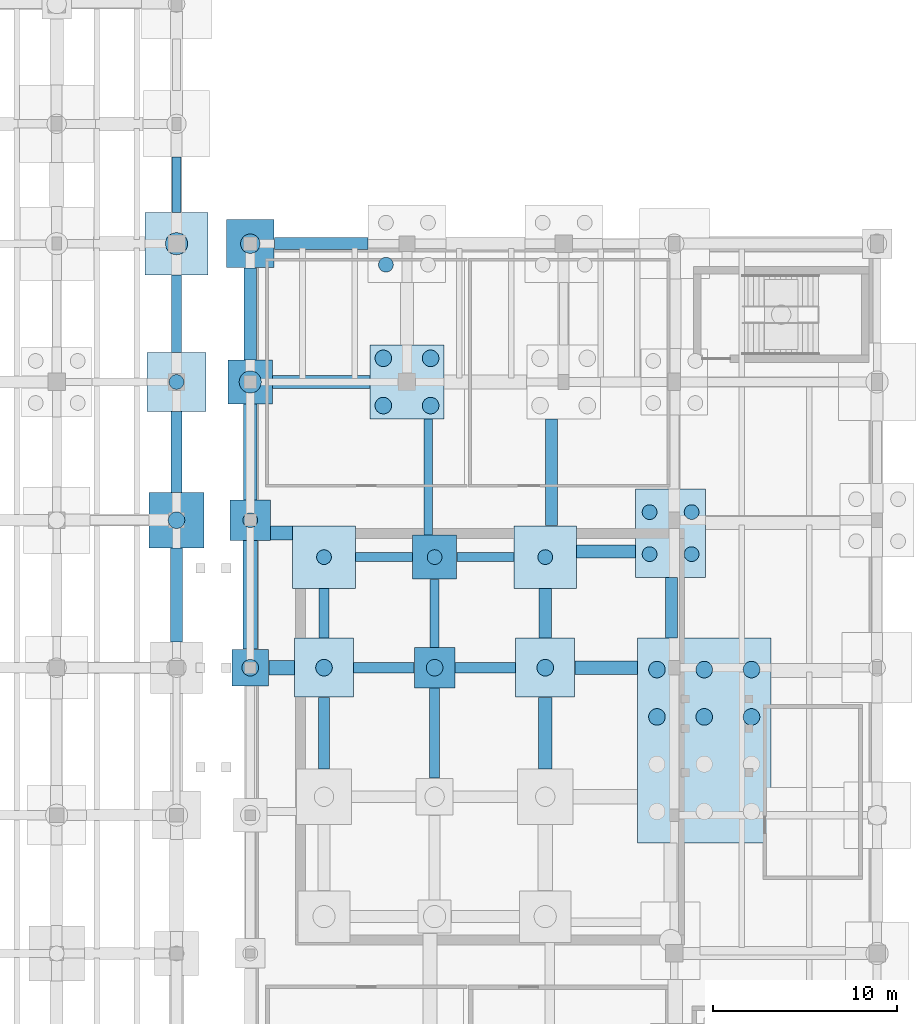
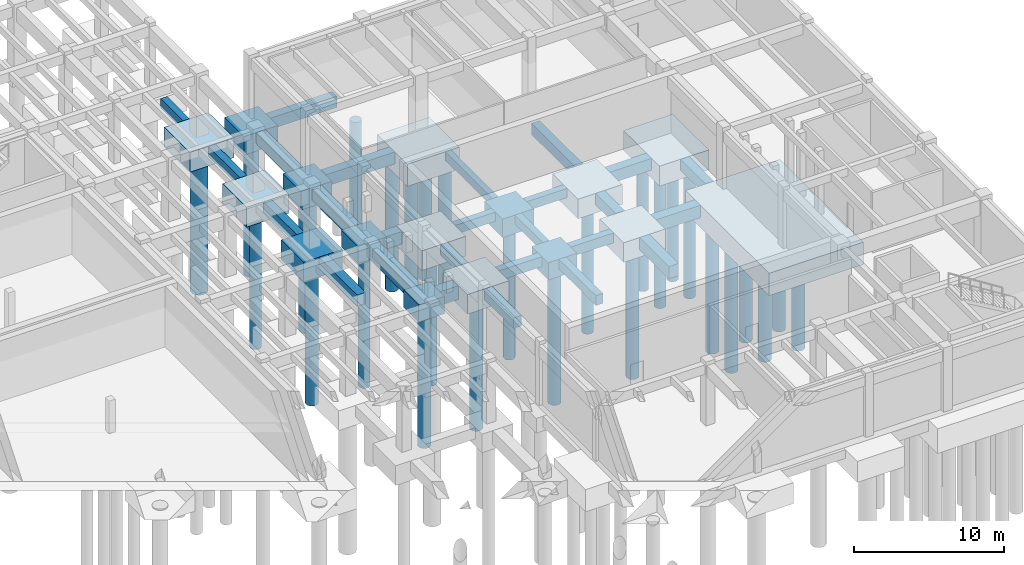
# One storey, part 14 of 36: 42 footings, 28 piles.
"""IFC4 building model written with IfcOpenShell, lengths in metres."""

from ifc_helpers import new_model, si_unit, direction, frame, origin, origin_2d, place, context, subcontext, project, spatial, polyline, circle, outline, extrude, material, material_profile, profile_set, type_object, element, save


model = new_model("IFC4")

# Units and contexts
model_context = context("Model", 3, precision=1e-05, world=origin(), true_north=direction((0.0, 1.0)))
body_context = subcontext(model_context, "Body", "Model", "MODEL_VIEW")
ifc_project = project(units=[si_unit("LENGTHUNIT", "METRE"), si_unit("AREAUNIT", "SQUARE_METRE"), si_unit("VOLUMEUNIT", "CUBIC_METRE"), si_unit("PLANEANGLEUNIT", "RADIAN"), si_unit("MASSUNIT", "GRAM", prefix="KILO"), si_unit("THERMODYNAMICTEMPERATUREUNIT", "KELVIN"), si_unit("POWERUNIT", "WATT")], contexts=[model_context])

# Site, building, storey
site_placement = place(None, origin())
site = spatial("IfcSite", under=ifc_project, at=site_placement, CompositionType="ELEMENT")
building_placement = place(site_placement, origin())
building = spatial("IfcBuilding", under=site, at=building_placement, Name="Tepalcoro Natatorium and Aquatics Centre", CompositionType="ELEMENT")
storey_placement = place(building_placement, frame((0.0, 0.0, -5.199951171875)))
storey = spatial("IfcBuildingStorey", under=building, at=storey_placement, Name="B1", CompositionType="ELEMENT", Elevation=-5.199951171875)

# Footings
ifc_material = material(Name="Concrete C40/50 (fc 40 MPa)", Category="concrete")
footing_type_1 = type_object("IfcFootingType", Name="FB_450x700", PredefinedType="FOOTING_BEAM", material=ifc_material)
footing_1_placement = place(storey_placement, frame((0.0, 0.0, -1.199951171875)))
element("IfcFooting", 1, at=footing_1_placement, inside=storey, type_object=footing_type_1, Name="V2 B1 Foundation Tie Beam Y", PredefinedType="FOOTING_BEAM", context=body_context, shape_type="SweptSolid", body=[
    extrude(outline(polyline([(151.875, 43.205078125), (151.875, 49.4951171875), (151.425048828125, 49.4951171875), (151.425048828125, 43.205078125), (151.875, 43.205078125)])), origin(), (0.0, 0.0, 1.0), 0.699951171875),
])
footing_type_2 = type_object("IfcFootingType", Name="FB_500x750", PredefinedType="FOOTING_BEAM", material=ifc_material)
footing_2_placement = place(storey_placement, frame((0.0, 0.0, -0.75)))
element("IfcFooting", 2, at=footing_2_placement, inside=storey, type_object=footing_type_2, Name="V1 B1 Foundation Tie Beam Y", PredefinedType="FOOTING_BEAM", context=body_context, shape_type="SweptSolid", body=[
    extrude(outline(polyline([(138.25, 60.705078125), (138.25, 63.695068359375), (137.75, 63.695068359375), (137.75, 60.705078125), (138.25, 60.705078125)])), origin(), (0.0, 0.0, 1.0), 0.75),
])
footing_3_placement = place(storey_placement, frame((0.0, 0.0, -1.22998046875)))
element("IfcFooting", 3, at=footing_3_placement, inside=storey, type_object=footing_type_2, Name="V2 B1 Foundation Tie Beam X", PredefinedType="FOOTING_BEAM", context=body_context, shape_type="SweptSolid", body=[
    extrude(outline(polyline([(147.705078125, 41.75), (150.794921875, 41.75), (150.794921875, 42.25), (147.705078125, 42.25), (147.705078125, 41.75)])), origin(), (0.0, 0.0, 1.0), 0.75),
])
footing_4_placement = place(storey_placement, frame((0.0, 0.0, -1.22998046875)))
element("IfcFooting", 4, at=footing_4_placement, inside=storey, type_object=footing_type_2, Name="V2 B1 Foundation Tie Beam X", PredefinedType="FOOTING_BEAM", context=body_context, shape_type="SweptSolid", body=[
    extrude(outline(polyline([(153.205078125, 41.75), (156.294921875, 41.75), (156.294921875, 42.25), (153.205078125, 42.25), (153.205078125, 41.75)])), origin(), (0.0, 0.0, 1.0), 0.75),
])
footing_5_placement = place(storey_placement, frame((0.0, 0.0, -1.22998046875)))
element("IfcFooting", 5, at=footing_5_placement, inside=storey, type_object=footing_type_2, Name="V2 B1 Foundation Tie Beam Y", PredefinedType="FOOTING_BEAM", context=body_context, shape_type="SweptSolid", body=[
    extrude(outline(polyline([(152.25, 37.10498046875), (152.25, 40.794921875), (151.75, 40.794921875), (151.75, 37.10498046875), (152.25, 37.10498046875)])), origin(), (0.0, 0.0, 1.0), 0.75),
])
footing_type_3 = type_object("IfcFootingType", Name="FB_550x800", PredefinedType="FOOTING_BEAM", material=ifc_material)
footing_6_placement = place(storey_placement, frame((0.0, 0.0, -0.800048828125)))
element("IfcFooting", 6, at=footing_6_placement, inside=storey, type_object=footing_type_3, Name="V1 B1 Foundation Tie Beam Y", PredefinedType="FOOTING_BEAM", context=body_context, shape_type="SweptSolid", body=[
    extrude(outline(polyline([(138.27490234375, 53.10498046875), (138.27490234375, 57.294921875), (137.72509765625, 57.294921875), (137.72509765625, 53.10498046875), (138.27490234375, 53.10498046875)])), origin(), (0.0, 0.0, 1.0), 0.800048828125),
])
footing_7_placement = place(storey_placement, frame((0.0, 0.0, -1.280029296875)))
element("IfcFooting", 7, at=footing_7_placement, inside=storey, type_object=footing_type_3, Name="V2 B1 Foundation Tie Beam X", PredefinedType="FOOTING_BEAM", context=body_context, shape_type="SweptSolid", body=[
    extrude(outline(polyline([(147.60498046875, 35.72509765625), (150.89501953125, 35.72509765625), (150.89501953125, 36.27490234375), (147.60498046875, 36.27490234375), (147.60498046875, 35.72509765625)])), origin(), (0.0, 0.0, 1.0), 0.800048828125),
])
footing_8_placement = place(storey_placement, frame((0.0, 0.0, -1.280029296875)))
element("IfcFooting", 8, at=footing_8_placement, inside=storey, type_object=footing_type_3, Name="V2 B1 Foundation Tie Beam X", PredefinedType="FOOTING_BEAM", context=body_context, shape_type="SweptSolid", body=[
    extrude(outline(polyline([(153.10498046875, 35.72509765625), (156.39501953125, 35.72509765625), (156.39501953125, 36.27490234375), (153.10498046875, 36.27490234375), (153.10498046875, 35.72509765625)])), origin(), (0.0, 0.0, 1.0), 0.800048828125),
])
footing_9_placement = place(storey_placement, frame((0.0, 0.0, -1.280029296875)))
element("IfcFooting", 9, at=footing_9_placement, inside=storey, type_object=footing_type_3, Name="V2 B1 Foundation Tie Beam Y", PredefinedType="FOOTING_BEAM", context=body_context, shape_type="SweptSolid", body=[
    extrude(outline(polyline([(146.27490234375, 37.60498046875), (146.27490234375, 40.294921875), (145.72509765625, 40.294921875), (145.72509765625, 37.60498046875), (146.27490234375, 37.60498046875)])), origin(), (0.0, 0.0, 1.0), 0.800048828125),
])
footing_10_placement = place(storey_placement, frame((0.0, 0.0, -1.280029296875)))
element("IfcFooting", 10, at=footing_10_placement, inside=storey, type_object=footing_type_3, Name="V2 B1 Foundation Tie Beam Y", PredefinedType="FOOTING_BEAM", context=body_context, shape_type="SweptSolid", body=[
    extrude(outline(polyline([(152.27490234375, 30.0048828125), (152.27490234375, 34.89501953125), (151.72509765625, 34.89501953125), (151.72509765625, 30.0048828125), (152.27490234375, 30.0048828125)])), origin(), (0.0, 0.0, 1.0), 0.800048828125),
])
footing_type_4 = type_object("IfcFootingType", Name="FB_600x850", PredefinedType="FOOTING_BEAM", material=ifc_material)
footing_11_placement = place(storey_placement, frame((0.0, 0.0, -0.85009765625)))
element("IfcFooting", 11, at=footing_11_placement, inside=storey, type_object=footing_type_4, Name="V1 B1 Foundation Tie Beam Y", PredefinedType="FOOTING_BEAM", context=body_context, shape_type="SweptSolid", body=[
    extrude(outline(polyline([(138.300048828125, 45.5048828125), (138.300048828125, 49.89501953125), (137.699951171875, 49.89501953125), (137.699951171875, 45.5048828125), (138.300048828125, 45.5048828125)])), origin(), (0.0, 0.0, 1.0), 0.85009765625),
])
footing_12_placement = place(storey_placement, frame((0.0, 0.0, -1.330078125)))
element("IfcFooting", 12, at=footing_12_placement, inside=storey, type_object=footing_type_4, Name="V2 B1 Foundation Tie Beam Y", PredefinedType="FOOTING_BEAM", context=body_context, shape_type="SweptSolid", body=[
    extrude(outline(polyline([(146.300048828125, 30.5048828125), (146.300048828125, 34.39501953125), (145.699951171875, 34.39501953125), (145.699951171875, 30.5048828125), (146.300048828125, 30.5048828125)])), origin(), (0.0, 0.0, 1.0), 0.85009765625),
])
footing_type_5 = type_object("IfcFootingType", Name="FB_650x900", PredefinedType="FOOTING_BEAM", material=ifc_material)
footing_13_placement = place(storey_placement, frame((0.0, 0.0, -0.900146484375)))
element("IfcFooting", 13, at=footing_13_placement, inside=storey, type_object=footing_type_5, Name="V1 B1 Foundation Tie Beam Y", PredefinedType="FOOTING_BEAM", context=body_context, shape_type="SweptSolid", body=[
    extrude(outline(polyline([(138.324951171875, 37.405029296875), (138.324951171875, 42.4951171875), (137.675048828125, 42.4951171875), (137.675048828125, 37.405029296875), (138.324951171875, 37.405029296875)])), origin(), (0.0, 0.0, 1.0), 0.900146484375),
])
footing_14_placement = place(storey_placement, frame((0.0, 0.0, -1.400146484375)))
element("IfcFooting", 14, at=footing_14_placement, inside=storey, type_object=footing_type_5, Name="V2 B1 Foundation Tie Beam X", PredefinedType="FOOTING_BEAM", context=body_context, shape_type="SweptSolid", body=[
    extrude(outline(polyline([(143.304931640625, 58.675048828125), (148.39501953125, 58.675048828125), (148.39501953125, 59.324951171875), (143.304931640625, 59.324951171875), (143.304931640625, 58.675048828125)])), origin(), (0.0, 0.0, 1.0), 0.900146484375),
])
footing_15_placement = place(storey_placement, frame((0.0, 0.0, -1.400146484375)))
element("IfcFooting", 15, at=footing_15_placement, inside=storey, type_object=footing_type_5, Name="V2 B1 Foundation Tie Beam Y", PredefinedType="FOOTING_BEAM", context=body_context, shape_type="SweptSolid", body=[
    extrude(outline(polyline([(158.675048828125, 43.705078125), (158.675048828125, 49.4951171875), (158.02490234375, 49.4951171875), (158.02490234375, 43.705078125), (158.675048828125, 43.705078125)])), origin(), (0.0, 0.0, 1.0), 0.900146484375),
])
footing_16_placement = place(storey_placement, frame((0.0, 0.0, -1.380126953125)))
element("IfcFooting", 16, at=footing_16_placement, inside=storey, type_object=footing_type_5, Name="V2 B1 Foundation Tie Beam Y", PredefinedType="FOOTING_BEAM", context=body_context, shape_type="SweptSolid", body=[
    extrude(outline(polyline([(165.175048828125, 37.60498046875), (165.175048828125, 40.89501953125), (164.52490234375, 40.89501953125), (164.52490234375, 37.60498046875), (165.175048828125, 37.60498046875)])), origin(), (0.0, 0.0, 1.0), 0.900146484375),
])
footing_type_6 = type_object("IfcFootingType", Name="FB_700x950", PredefinedType="FOOTING_BEAM", material=ifc_material)
footing_17_placement = place(storey_placement, frame((0.0, 0.0, -1.449951171875)))
element("IfcFooting", 17, at=footing_17_placement, inside=storey, type_object=footing_type_6, Name="V2 B1 Foundation Tie Beam X", PredefinedType="FOOTING_BEAM", context=body_context, shape_type="SweptSolid", body=[
    extrude(outline(polyline([(143.205078125, 51.14990234375), (148.4951171875, 51.14990234375), (148.4951171875, 51.85009765625), (143.205078125, 51.85009765625), (143.205078125, 51.14990234375)])), origin(), (0.0, 0.0, 1.0), 0.949951171875),
])
footing_18_placement = place(storey_placement, frame((0.0, 0.0, -1.429931640625)))
element("IfcFooting", 18, at=footing_18_placement, inside=storey, type_object=footing_type_6, Name="V2 B1 Foundation Tie Beam X", PredefinedType="FOOTING_BEAM", context=body_context, shape_type="SweptSolid", body=[
    extrude(outline(polyline([(159.705078125, 41.949951171875), (162.89501953125, 41.949951171875), (162.89501953125, 42.64990234375), (159.705078125, 42.64990234375), (159.705078125, 41.949951171875)])), origin(), (0.0, 0.0, 1.0), 0.949951171875),
])
footing_19_placement = place(storey_placement, frame((0.0, 0.0, -1.449951171875)))
element("IfcFooting", 19, at=footing_19_placement, inside=storey, type_object=footing_type_6, Name="V2 B1 Foundation Tie Beam Y", PredefinedType="FOOTING_BEAM", context=body_context, shape_type="SweptSolid", body=[
    extrude(outline(polyline([(142.35009765625, 52.705078125), (142.35009765625, 57.695068359375), (141.64990234375, 57.695068359375), (141.64990234375, 52.705078125), (142.35009765625, 52.705078125)])), origin(), (0.0, 0.0, 1.0), 0.949951171875),
])
footing_20_placement = place(storey_placement, frame((0.0, 0.0, -1.429931640625)))
element("IfcFooting", 20, at=footing_20_placement, inside=storey, type_object=footing_type_6, Name="V2 B1 Foundation Tie Beam Y", PredefinedType="FOOTING_BEAM", context=body_context, shape_type="SweptSolid", body=[
    extrude(outline(polyline([(158.35009765625, 37.60498046875), (158.35009765625, 40.294921875), (157.64990234375, 40.294921875), (157.64990234375, 37.60498046875), (158.35009765625, 37.60498046875)])), origin(), (0.0, 0.0, 1.0), 0.949951171875),
])
footing_type_7 = type_object("IfcFootingType", Name="FB_750x1000", PredefinedType="FOOTING_BEAM", material=ifc_material)
footing_21_placement = place(storey_placement, frame((0.0, 0.0, -1.5)))
element("IfcFooting", 21, at=footing_21_placement, inside=storey, type_object=footing_type_7, Name="V2 B1 Foundation Tie Beam X", PredefinedType="FOOTING_BEAM", context=body_context, shape_type="SweptSolid", body=[
    extrude(outline(polyline([(143.10498046875, 42.925048828125), (144.294921875, 42.925048828125), (144.294921875, 43.675048828125), (143.10498046875, 43.675048828125), (143.10498046875, 42.925048828125)])), origin(), (0.0, 0.0, 1.0), 1.0),
])
footing_22_placement = place(storey_placement, frame((0.0, 0.0, -1.47998046875)))
element("IfcFooting", 22, at=footing_22_placement, inside=storey, type_object=footing_type_7, Name="V2 B1 Foundation Tie Beam X", PredefinedType="FOOTING_BEAM", context=body_context, shape_type="SweptSolid", body=[
    extrude(outline(polyline([(159.60498046875, 35.625), (162.9951171875, 35.625), (162.9951171875, 36.375), (159.60498046875, 36.375), (159.60498046875, 35.625)])), origin(), (0.0, 0.0, 1.0), 1.0),
])
footing_23_placement = place(storey_placement, frame((0.0, 0.0, -1.5)))
element("IfcFooting", 23, at=footing_23_placement, inside=storey, type_object=footing_type_7, Name="V2 B1 Foundation Tie Beam Y", PredefinedType="FOOTING_BEAM", context=body_context, shape_type="SweptSolid", body=[
    extrude(outline(polyline([(142.375, 45.10498046875), (142.375, 50.294921875), (141.625, 50.294921875), (141.625, 45.10498046875), (142.375, 45.10498046875)])), origin(), (0.0, 0.0, 1.0), 1.0),
])
footing_24_placement = place(storey_placement, frame((0.0, 0.0, -1.47998046875)))
element("IfcFooting", 24, at=footing_24_placement, inside=storey, type_object=footing_type_7, Name="V2 B1 Foundation Tie Beam Y", PredefinedType="FOOTING_BEAM", context=body_context, shape_type="SweptSolid", body=[
    extrude(outline(polyline([(158.375, 30.5048828125), (158.375, 34.39501953125), (157.625, 34.39501953125), (157.625, 30.5048828125), (158.375, 30.5048828125)])), origin(), (0.0, 0.0, 1.0), 1.0),
])
footing_type_8 = type_object("IfcFootingType", Name="FB_800x1100", PredefinedType="FOOTING_BEAM", material=ifc_material)
footing_25_placement = place(storey_placement, frame((0.0, 0.0, -1.60009765625)))
element("IfcFooting", 25, at=footing_25_placement, inside=storey, type_object=footing_type_8, Name="V2 B1 Foundation Tie Beam X", PredefinedType="FOOTING_BEAM", context=body_context, shape_type="SweptSolid", body=[
    extrude(outline(polyline([(143.0048828125, 35.60009765625), (144.39501953125, 35.60009765625), (144.39501953125, 36.39990234375), (143.0048828125, 36.39990234375), (143.0048828125, 35.60009765625)])), origin(), (0.0, 0.0, 1.0), 1.10009765625),
])
footing_26_placement = place(storey_placement, frame((0.0, 0.0, -1.60009765625)))
element("IfcFooting", 26, at=footing_26_placement, inside=storey, type_object=footing_type_8, Name="V2 B1 Foundation Tie Beam Y", PredefinedType="FOOTING_BEAM", context=body_context, shape_type="SweptSolid", body=[
    extrude(outline(polyline([(142.39990234375, 37.0048828125), (142.39990234375, 42.89501953125), (141.60009765625, 42.89501953125), (141.60009765625, 37.0048828125), (142.39990234375, 37.0048828125)])), origin(), (0.0, 0.0, 1.0), 1.10009765625),
])
footing_type_9 = type_object("IfcFootingType", Name="PC_2000x2000x1400", PredefinedType="PILE_CAP", material=ifc_material)
footing_27_placement = place(storey_placement, frame((0.0, 0.0, -1.900146484375)))
element("IfcFooting", 27, at=footing_27_placement, inside=storey, type_object=footing_type_9, Name="V2 Reinforced Concrete Pile Cap 134", PredefinedType="PILE_CAP", context=body_context, shape_type="SweptSolid", body=[
    extrude(outline(polyline([(141.0, 35.0), (143.0, 35.0), (143.0, 37.0), (141.0, 37.0), (141.0, 35.0)])), origin(), (0.0, 0.0, 1.0), 1.400146484375),
])
footing_type_10 = type_object("IfcFootingType", Name="PC_2200x2200x1400", PredefinedType="PILE_CAP", material=ifc_material)
footing_28_placement = place(storey_placement, frame((0.0, 0.0, -1.900146484375)))
element("IfcFooting", 28, at=footing_28_placement, inside=storey, type_object=footing_type_10, Name="V2 Reinforced Concrete Pile Cap 133", PredefinedType="PILE_CAP", context=body_context, shape_type="SweptSolid", body=[
    extrude(outline(polyline([(140.89990234375, 42.89990234375), (143.10009765625, 42.89990234375), (143.10009765625, 45.10009765625), (140.89990234375, 45.10009765625), (140.89990234375, 42.89990234375)])), origin(), (0.0, 0.0, 1.0), 1.400146484375),
])
footing_29_placement = place(storey_placement, frame((0.0, 0.0, -1.880126953125)))
element("IfcFooting", 29, at=footing_29_placement, inside=storey, type_object=footing_type_10, Name="V2 Reinforced Concrete Pile Cap 146", PredefinedType="PILE_CAP", context=body_context, shape_type="SweptSolid", body=[
    extrude(outline(polyline([(150.89990234375, 34.89990234375), (153.10009765625, 34.89990234375), (153.10009765625, 37.10009765625), (150.89990234375, 37.10009765625), (150.89990234375, 34.89990234375)])), origin(), (0.0, 0.0, 1.0), 1.400146484375),
])
footing_type_11 = type_object("IfcFootingType", Name="PC_2400x2400x1500", PredefinedType="PILE_CAP", material=ifc_material)
footing_30_placement = place(storey_placement, frame((0.0, 0.0, -2.0)))
element("IfcFooting", 30, at=footing_30_placement, inside=storey, type_object=footing_type_11, Name="V2 Reinforced Concrete Pile Cap 132", PredefinedType="PILE_CAP", context=body_context, shape_type="SweptSolid", body=[
    extrude(outline(polyline([(140.800048828125, 50.300048828125), (143.199951171875, 50.300048828125), (143.199951171875, 52.699951171875), (140.800048828125, 52.699951171875), (140.800048828125, 50.300048828125)])), origin(), (0.0, 0.0, 1.0), 1.5),
])
footing_31_placement = place(storey_placement, frame((0.0, 0.0, -1.97998046875)))
element("IfcFooting", 31, at=footing_31_placement, inside=storey, type_object=footing_type_11, Name="V2 Reinforced Concrete Pile Cap 145", PredefinedType="PILE_CAP", context=body_context, shape_type="SweptSolid", body=[
    extrude(outline(polyline([(150.800048828125, 40.800048828125), (153.199951171875, 40.800048828125), (153.199951171875, 43.199951171875), (150.800048828125, 43.199951171875), (150.800048828125, 40.800048828125)])), origin(), (0.0, 0.0, 1.0), 1.5),
])
footing_type_12 = type_object("IfcFootingType", Name="PC_2600x2600x1500", PredefinedType="PILE_CAP", material=ifc_material)
footing_32_placement = place(storey_placement, frame((0.0, 0.0, -2.0)))
element("IfcFooting", 32, at=footing_32_placement, inside=storey, type_object=footing_type_12, Name="V2 Reinforced Concrete Pile Cap 131", PredefinedType="PILE_CAP", context=body_context, shape_type="SweptSolid", body=[
    extrude(outline(polyline([(140.699951171875, 57.699951171875), (143.300048828125, 57.699951171875), (143.300048828125, 60.300048828125), (140.699951171875, 60.300048828125), (140.699951171875, 57.699951171875)])), origin(), (0.0, 0.0, 1.0), 1.5),
])
footing_type_13 = type_object("IfcFootingType", Name="PC_3000x3000x1600", PredefinedType="PILE_CAP", material=ifc_material)
footing_33_placement = place(storey_placement, frame((0.0, 0.0, -1.60009765625)))
element("IfcFooting", 33, at=footing_33_placement, inside=storey, type_object=footing_type_13, Name="V1 Reinforced Concrete Pile Cap 122", PredefinedType="PILE_CAP", context=body_context, shape_type="SweptSolid", body=[
    extrude(outline(polyline([(136.5, 42.5), (139.5, 42.5), (139.5, 45.5), (136.5, 45.5), (136.5, 42.5)])), origin(), (0.0, 0.0, 1.0), 1.60009765625),
])
footing_type_14 = type_object("IfcFootingType", Name="PC_3200x3200x1600", PredefinedType="PILE_CAP", material=ifc_material)
footing_34_placement = place(storey_placement, frame((0.0, 0.0, -1.60009765625)))
element("IfcFooting", 34, at=footing_34_placement, inside=storey, type_object=footing_type_14, Name="V1 Reinforced Concrete Pile Cap 121", PredefinedType="PILE_CAP", context=body_context, shape_type="SweptSolid", body=[
    extrude(outline(polyline([(136.39990234375, 49.89990234375), (139.60009765625, 49.89990234375), (139.60009765625, 53.10009765625), (136.39990234375, 53.10009765625), (136.39990234375, 49.89990234375)])), origin(), (0.0, 0.0, 1.0), 1.60009765625),
])
footing_35_placement = place(storey_placement, frame((0.0, 0.0, -2.080078125)))
element("IfcFooting", 35, at=footing_35_placement, inside=storey, type_object=footing_type_14, Name="V2 Reinforced Concrete Pile Cap 138", PredefinedType="PILE_CAP", context=body_context, shape_type="SweptSolid", body=[
    extrude(outline(polyline([(144.39990234375, 34.39990234375), (147.60009765625, 34.39990234375), (147.60009765625, 37.60009765625), (144.39990234375, 37.60009765625), (144.39990234375, 34.39990234375)])), origin(), (0.0, 0.0, 1.0), 1.60009765625),
])
footing_36_placement = place(storey_placement, frame((0.0, 0.0, -2.080078125)))
element("IfcFooting", 36, at=footing_36_placement, inside=storey, type_object=footing_type_14, Name="V2 Reinforced Concrete Pile Cap 150", PredefinedType="PILE_CAP", context=body_context, shape_type="SweptSolid", body=[
    extrude(outline(polyline([(156.39990234375, 34.39990234375), (159.60009765625, 34.39990234375), (159.60009765625, 37.60009765625), (156.39990234375, 37.60009765625), (156.39990234375, 34.39990234375)])), origin(), (0.0, 0.0, 1.0), 1.60009765625),
])
footing_type_15 = type_object("IfcFootingType", Name="PC_3400x3400x1600", PredefinedType="PILE_CAP", material=ifc_material)
footing_37_placement = place(storey_placement, frame((0.0, 0.0, -1.60009765625)))
element("IfcFooting", 37, at=footing_37_placement, inside=storey, type_object=footing_type_15, Name="V1 Reinforced Concrete Pile Cap 120", PredefinedType="PILE_CAP", context=body_context, shape_type="SweptSolid", body=[
    extrude(outline(polyline([(136.300048828125, 57.300048828125), (139.699951171875, 57.300048828125), (139.699951171875, 60.699951171875), (136.300048828125, 60.699951171875), (136.300048828125, 57.300048828125)])), origin(), (0.0, 0.0, 1.0), 1.60009765625),
])
footing_38_placement = place(storey_placement, frame((0.0, 0.0, -2.080078125)))
element("IfcFooting", 38, at=footing_38_placement, inside=storey, type_object=footing_type_15, Name="V2 Reinforced Concrete Pile Cap 137", PredefinedType="PILE_CAP", context=body_context, shape_type="SweptSolid", body=[
    extrude(outline(polyline([(144.300048828125, 40.300048828125), (147.699951171875, 40.300048828125), (147.699951171875, 43.699951171875), (144.300048828125, 43.699951171875), (144.300048828125, 40.300048828125)])), origin(), (0.0, 0.0, 1.0), 1.60009765625),
])
footing_39_placement = place(storey_placement, frame((0.0, 0.0, -2.080078125)))
element("IfcFooting", 39, at=footing_39_placement, inside=storey, type_object=footing_type_15, Name="V2 Reinforced Concrete Pile Cap 149", PredefinedType="PILE_CAP", context=body_context, shape_type="SweptSolid", body=[
    extrude(outline(polyline([(156.300048828125, 40.300048828125), (159.699951171875, 40.300048828125), (159.699951171875, 43.699951171875), (156.300048828125, 43.699951171875), (156.300048828125, 40.300048828125)])), origin(), (0.0, 0.0, 1.0), 1.60009765625),
])
footing_40_placement = place(storey_placement, frame((0.0, 0.0, -2.10009765625)))
element("IfcFooting", 40, at=footing_40_placement, inside=storey, type_object=footing_type_15, Name="V2 Reinforced Concrete Pile Cap 157", PredefinedType="PILE_CAP", context=body_context, shape_type="SweptSolid", body=[
    extrude(outline(polyline([(162.89990234375, 40.89990234375), (166.699951171875, 40.89990234375), (166.699951171875, 45.699951171875), (162.89990234375, 45.699951171875), (162.89990234375, 40.89990234375)])), origin(), (0.0, 0.0, 1.0), 1.6201171875),
])
footing_type_16 = type_object("IfcFootingType", Name="PC_4000x4000x1800", PredefinedType="PILE_CAP", material=ifc_material)
footing_41_placement = place(storey_placement, frame((0.0, 0.0, -2.300048828125)))
element("IfcFooting", 41, at=footing_41_placement, inside=storey, type_object=footing_type_16, Name="V2 Reinforced Concrete Pile Cap 142", PredefinedType="PILE_CAP", context=body_context, shape_type="SweptSolid", body=[
    extrude(outline(polyline([(148.5, 49.5), (152.5, 49.5), (152.5, 53.5), (148.5, 53.5), (148.5, 49.5)])), origin(), (0.0, 0.0, 1.0), 1.800048828125),
])
footing_42_placement = place(storey_placement, frame((0.0, 0.0, -2.300048828125)))
element("IfcFooting", 42, at=footing_42_placement, inside=storey, type_object=footing_type_16, Name="V2 Reinforced Concrete Pile Cap 158", PredefinedType="PILE_CAP", context=body_context, shape_type="SweptSolid", body=[
    extrude(outline(polyline([(163.0, 26.5), (170.25, 26.5), (170.25, 37.60009765625), (163.0, 37.60009765625), (163.0, 26.5)])), origin(), (0.0, 0.0, 1.0), 1.820068359375),
])

# Piles
ifc_material_profile_1 = material_profile(ifc_material, circle(Radius=0.52490234375, at=origin_2d()), Name="PILE_D1050")
ifc_profile_set_1 = profile_set([ifc_material_profile_1], Name="Concrete C40/50 (fc 40 MPa)")
pile_type_1 = type_object("IfcPileType", Name="PILE_D1050", PredefinedType="BORED", material=ifc_profile_set_1)
pile_1_placement = place(storey_placement, frame((142.0, 59.0, -1.900146484375), z_axis=(0.0, 0.0, -1.0), x_axis=(1.0, 0.0, 0.0)))
element("IfcPile", 43, at=pile_1_placement, inside=storey, type_object=pile_type_1, Name="Bored Pile PILE_D1050 under PC_V2_0130", PredefinedType="BORED", context=body_context, shape_type="SweptSolid", body=[
    extrude(circle(Radius=0.52490234375, at=origin_2d()), origin(), (0.0, 0.0, 1.0), 10.89990234375),
])
ifc_material_profile_2 = material_profile(ifc_material, circle(Radius=0.60009765625, at=origin_2d()), Name="PILE_D1200")
ifc_profile_set_2 = profile_set([ifc_material_profile_2], Name="Concrete C40/50 (fc 40 MPa)")
pile_type_2 = type_object("IfcPileType", Name="PILE_D1200", PredefinedType="BORED", material=ifc_profile_set_2)
pile_2_placement = place(storey_placement, frame((138.0, 59.0, -1.5), z_axis=(0.0, 0.0, -1.0), x_axis=(1.0, 0.0, 0.0)))
element("IfcPile", 44, at=pile_2_placement, inside=storey, type_object=pile_type_2, Name="Bored Pile PILE_D1200 under PC_V1_0119", PredefinedType="BORED", context=body_context, shape_type="SweptSolid", body=[
    extrude(circle(Radius=0.60009765625, at=origin_2d()), origin(), (0.0, 0.0, 1.0), 11.300048828125),
])
pile_3_placement = place(storey_placement, frame((142.0, 51.5, -1.900146484375), z_axis=(0.0, 0.0, -1.0), x_axis=(1.0, 0.0, 0.0)))
element("IfcPile", 45, at=pile_3_placement, inside=storey, type_object=pile_type_2, Name="Bored Pile PILE_D1200 under PC_V2_0131", PredefinedType="BORED", context=body_context, shape_type="SweptSolid", body=[
    extrude(circle(Radius=0.60009765625, at=origin_2d()), origin(), (0.0, 0.0, 1.0), 10.89990234375),
])
ifc_material_profile_3 = material_profile(ifc_material, circle(Radius=0.39990234375, at=origin_2d()), Name="PILE_D800")
ifc_profile_set_3 = profile_set([ifc_material_profile_3], Name="Concrete C40/50 (fc 40 MPa)")
pile_type_3 = type_object("IfcPileType", Name="PILE_D800", PredefinedType="BORED", material=ifc_profile_set_3)
pile_4_placement = place(storey_placement, frame((138.0, 51.5, -1.5), z_axis=(0.0, 0.0, -1.0), x_axis=(1.0, 0.0, 0.0)))
element("IfcPile", 46, at=pile_4_placement, inside=storey, type_object=pile_type_3, Name="Bored Pile PILE_D800 under PC_V1_0120", PredefinedType="BORED", context=body_context, shape_type="SweptSolid", body=[
    extrude(circle(Radius=0.39990234375, at=origin_2d()), origin(), (0.0, 0.0, 1.0), 11.300048828125),
])
pile_5_placement = place(storey_placement, frame((142.0, 44.0, -1.800048828125), z_axis=(0.0, 0.0, -1.0), x_axis=(1.0, 0.0, 0.0)))
element("IfcPile", 47, at=pile_5_placement, inside=storey, type_object=pile_type_3, Name="Bored Pile PILE_D800 under PC_V2_0132", PredefinedType="BORED", context=body_context, shape_type="SweptSolid", body=[
    extrude(circle(Radius=0.39990234375, at=origin_2d()), origin(), (0.0, 0.0, 1.0), 11.0),
])
pile_6_placement = place(storey_placement, frame((146.0, 42.0, -1.97998046875), z_axis=(0.0, 0.0, -1.0), x_axis=(1.0, 0.0, 0.0)))
element("IfcPile", 48, at=pile_6_placement, inside=storey, type_object=pile_type_3, Name="Bored Pile PILE_D800 under PC_V2_0136", PredefinedType="BORED", context=body_context, shape_type="SweptSolid", body=[
    extrude(circle(Radius=0.39990234375, at=origin_2d()), origin(), (0.0, 0.0, 1.0), 10.820068359375),
])
pile_7_placement = place(storey_placement, frame((149.360107421875, 57.860107421875, -2.199951171875), z_axis=(0.0, 0.0, -1.0), x_axis=(1.0, 0.0, 0.0)))
element("IfcPile", 49, at=pile_7_placement, inside=storey, type_object=pile_type_3, Name="Bored Pile PILE_D800 under PC_V2_0140", PredefinedType="BORED", context=body_context, shape_type="SweptSolid", body=[
    extrude(circle(Radius=0.39990234375, at=origin_2d()), origin(), (0.0, 0.0, 1.0), 10.60009765625),
])
pile_8_placement = place(storey_placement, frame((152.0, 42.0, -1.880126953125), z_axis=(0.0, 0.0, -1.0), x_axis=(1.0, 0.0, 0.0)))
element("IfcPile", 50, at=pile_8_placement, inside=storey, type_object=pile_type_3, Name="Bored Pile PILE_D800 under PC_V2_0144", PredefinedType="BORED", context=body_context, shape_type="SweptSolid", body=[
    extrude(circle(Radius=0.39990234375, at=origin_2d()), origin(), (0.0, 0.0, 1.0), 10.919921875),
])
pile_9_placement = place(storey_placement, frame((158.0, 42.0, -1.97998046875), z_axis=(0.0, 0.0, -1.0), x_axis=(1.0, 0.0, 0.0)))
element("IfcPile", 51, at=pile_9_placement, inside=storey, type_object=pile_type_3, Name="Bored Pile PILE_D800 under PC_V2_0148", PredefinedType="BORED", context=body_context, shape_type="SweptSolid", body=[
    extrude(circle(Radius=0.39990234375, at=origin_2d()), origin(), (0.0, 0.0, 1.0), 10.820068359375),
])
for number, where, z_axis, x_axis, name in (
    (52, (163.659912109375, 42.159912109375, -2.0), (0.0, 0.0, -1.0), (1.0, 0.0, 0.0), "Bored Pile PILE_D800 under PC_V2_0156"),
    (53, (163.659912109375, 44.43994140625, -2.0), (0.0, 0.0, -1.0), (1.0, 0.0, 0.0), "Bored Pile PILE_D800 under PC_V2_0156"),
    (54, (165.93994140625, 42.159912109375, -2.0), (0.0, 0.0, -1.0), (1.0, 0.0, 0.0), "Bored Pile PILE_D800 under PC_V2_0156"),
    (55, (165.93994140625, 44.43994140625, -2.0), (0.0, 0.0, -1.0), (1.0, 0.0, 0.0), "Bored Pile PILE_D800 under PC_V2_0156"),
):
    element("IfcPile", number, at=place(storey_placement, frame(where, z_axis=z_axis, x_axis=x_axis)), inside=storey, type_object=pile_type_3, Name=name, PredefinedType="BORED", context=body_context, shape_type="SweptSolid", body=[
        extrude(circle(Radius=0.39990234375, at=origin_2d()), origin(), (0.0, 0.0, 1.0), 10.800048828125),
    ])
ifc_material_profile_4 = material_profile(ifc_material, circle(Radius=0.449951171875, at=origin_2d()), Name="PILE_D900")
ifc_profile_set_4 = profile_set([ifc_material_profile_4], Name="Concrete C40/50 (fc 40 MPa)")
pile_type_4 = type_object("IfcPileType", Name="PILE_D900", PredefinedType="BORED", material=ifc_profile_set_4)
pile_10_placement = place(storey_placement, frame((138.0, 44.0, -1.5), z_axis=(0.0, 0.0, -1.0), x_axis=(1.0, 0.0, 0.0)))
element("IfcPile", 56, at=pile_10_placement, inside=storey, type_object=pile_type_4, Name="Bored Pile PILE_D900 under PC_V1_0121", PredefinedType="BORED", context=body_context, shape_type="SweptSolid", body=[
    extrude(circle(Radius=0.449951171875, at=origin_2d()), origin(), (0.0, 0.0, 1.0), 11.300048828125),
])
pile_11_placement = place(storey_placement, frame((142.0, 36.0, -1.800048828125), z_axis=(0.0, 0.0, -1.0), x_axis=(1.0, 0.0, 0.0)))
element("IfcPile", 57, at=pile_11_placement, inside=storey, type_object=pile_type_4, Name="Bored Pile PILE_D900 under PC_V2_0133", PredefinedType="BORED", context=body_context, shape_type="SweptSolid", body=[
    extrude(circle(Radius=0.449951171875, at=origin_2d()), origin(), (0.0, 0.0, 1.0), 11.0),
])
pile_12_placement = place(storey_placement, frame((146.0, 36.0, -1.97998046875), z_axis=(0.0, 0.0, -1.0), x_axis=(1.0, 0.0, 0.0)))
element("IfcPile", 58, at=pile_12_placement, inside=storey, type_object=pile_type_4, Name="Bored Pile PILE_D900 under PC_V2_0137", PredefinedType="BORED", context=body_context, shape_type="SweptSolid", body=[
    extrude(circle(Radius=0.449951171875, at=origin_2d()), origin(), (0.0, 0.0, 1.0), 10.820068359375),
])
for number, where, z_axis, x_axis, name in (
    (59, (149.217529296875, 50.217529296875, -2.199951171875), (0.0, 0.0, -1.0), (1.0, 0.0, 0.0), "Bored Pile PILE_D900 under PC_V2_0141"),
    (60, (149.217529296875, 52.782470703125, -2.199951171875), (0.0, 0.0, -1.0), (1.0, 0.0, 0.0), "Bored Pile PILE_D900 under PC_V2_0141"),
    (61, (151.782470703125, 50.217529296875, -2.199951171875), (0.0, 0.0, -1.0), (1.0, 0.0, 0.0), "Bored Pile PILE_D900 under PC_V2_0141"),
    (62, (151.782470703125, 52.782470703125, -2.199951171875), (0.0, 0.0, -1.0), (1.0, 0.0, 0.0), "Bored Pile PILE_D900 under PC_V2_0141"),
):
    element("IfcPile", number, at=place(storey_placement, frame(where, z_axis=z_axis, x_axis=x_axis)), inside=storey, type_object=pile_type_4, Name=name, PredefinedType="BORED", context=body_context, shape_type="SweptSolid", body=[
        extrude(circle(Radius=0.449951171875, at=origin_2d()), origin(), (0.0, 0.0, 1.0), 10.60009765625),
    ])
pile_13_placement = place(storey_placement, frame((152.0, 36.0, -1.780029296875), z_axis=(0.0, 0.0, -1.0), x_axis=(1.0, 0.0, 0.0)))
element("IfcPile", 63, at=pile_13_placement, inside=storey, type_object=pile_type_4, Name="Bored Pile PILE_D900 under PC_V2_0145", PredefinedType="BORED", context=body_context, shape_type="SweptSolid", body=[
    extrude(circle(Radius=0.449951171875, at=origin_2d()), origin(), (0.0, 0.0, 1.0), 11.02001953125),
])
pile_14_placement = place(storey_placement, frame((158.0, 36.0, -1.97998046875), z_axis=(0.0, 0.0, -1.0), x_axis=(1.0, 0.0, 0.0)))
element("IfcPile", 64, at=pile_14_placement, inside=storey, type_object=pile_type_4, Name="Bored Pile PILE_D900 under PC_V2_0149", PredefinedType="BORED", context=body_context, shape_type="SweptSolid", body=[
    extrude(circle(Radius=0.449951171875, at=origin_2d()), origin(), (0.0, 0.0, 1.0), 10.820068359375),
])
for number, where, z_axis, x_axis, name in (
    (65, (164.06005859375, 33.33251953125, -2.199951171875), (0.0, 0.0, -1.0), (1.0, 0.0, 0.0), "Bored Pile PILE_D900 under PC_V2_0157"),
    (66, (164.06005859375, 35.8974609375, -2.199951171875), (0.0, 0.0, -1.0), (1.0, 0.0, 0.0), "Bored Pile PILE_D900 under PC_V2_0157"),
    (67, (166.625, 33.33251953125, -2.199951171875), (0.0, 0.0, -1.0), (1.0, 0.0, 0.0), "Bored Pile PILE_D900 under PC_V2_0157"),
    (68, (166.625, 35.8974609375, -2.199951171875), (0.0, 0.0, -1.0), (1.0, 0.0, 0.0), "Bored Pile PILE_D900 under PC_V2_0157"),
    (69, (169.18994140625, 33.33251953125, -2.199951171875), (0.0, 0.0, -1.0), (1.0, 0.0, 0.0), "Bored Pile PILE_D900 under PC_V2_0157"),
    (70, (169.18994140625, 35.8974609375, -2.199951171875), (0.0, 0.0, -1.0), (1.0, 0.0, 0.0), "Bored Pile PILE_D900 under PC_V2_0157"),
):
    element("IfcPile", number, at=place(storey_placement, frame(where, z_axis=z_axis, x_axis=x_axis)), inside=storey, type_object=pile_type_4, Name=name, PredefinedType="BORED", context=body_context, shape_type="SweptSolid", body=[
        extrude(circle(Radius=0.449951171875, at=origin_2d()), origin(), (0.0, 0.0, 1.0), 10.60009765625),
    ])

save(model, "model.ifc")
